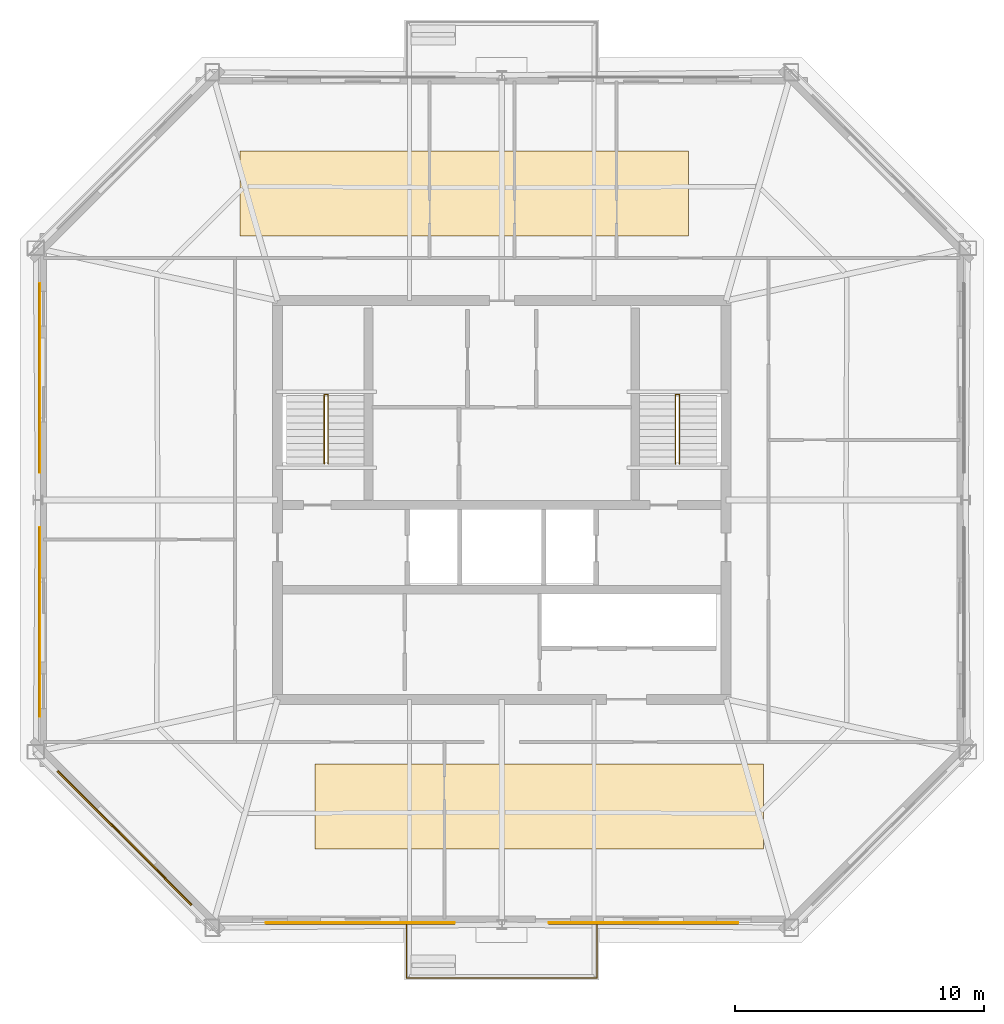
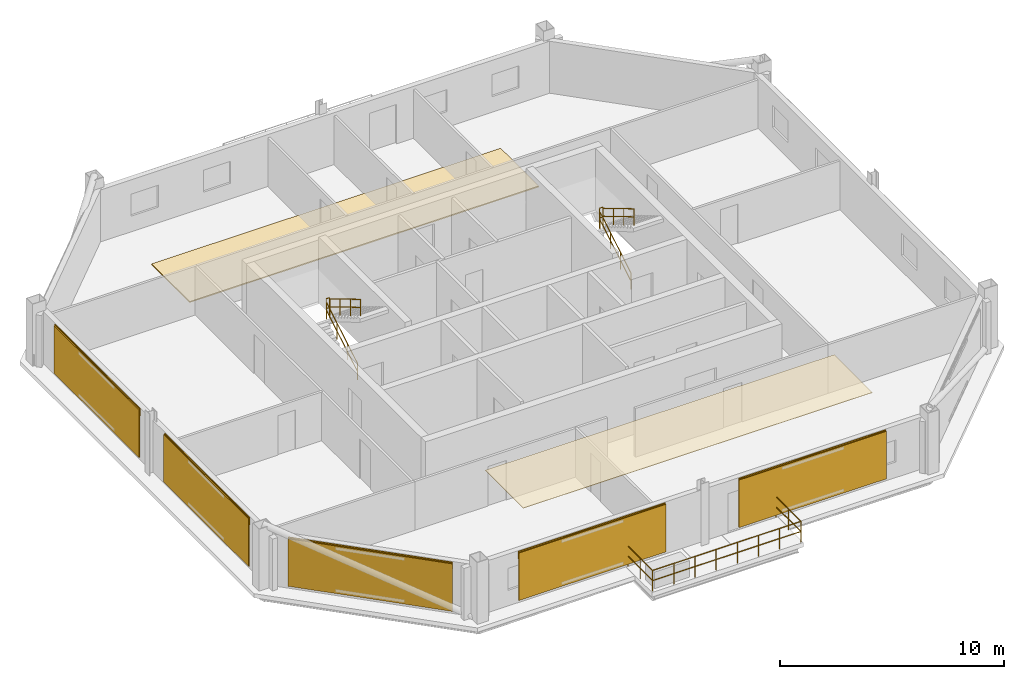
# One storey, part 6 of 7: 7 coverings, 7 railings, 5 shading devices.
"""IFC4 building model written with IfcOpenShell, lengths in metres."""

import ifcopenshell
import ifcopenshell.guid

model = None  # the IFC model being written
_history = None  # IfcOwnerHistory: only IFC2X3 demands one
_inside = {}  # id of a spatial element -> (the spatial element, [elements in it])
_under = {}  # id of a project, library or spatial element -> (it, [spatial elements below it])
_declared = {}  # id of a project -> (the project, [libraries it declares])
_typed = {}  # id of a type object -> (the type object, [elements of that type])
_made_of = {}  # id of a material, layer set ... -> (it, [elements and type objects made of it])


def new_model(schema):
    """Start an empty IFC model of exactly this schema.

    Asked for "IFC4X3", IfcOpenShell would pick the latest addendum, in which some entities
    have other attributes; the version numbers below select the first issue.
    IFC2X3 requires an IfcOwnerHistory on every rooted entity: one is made here for all.
    """
    global model, _history
    if schema == "IFC4X3":
        model = ifcopenshell.file(schema_version=(4, 3, 0, 0))
    else:
        model = ifcopenshell.file(schema=schema)
    _inside.clear()
    _under.clear()
    _declared.clear()
    _typed.clear()
    _made_of.clear()
    _history = None
    if model.schema == "IFC2X3":
        org = make("IfcOrganization", Name="unknown")
        user = make(
            "IfcPersonAndOrganization",
            ThePerson=make("IfcPerson", FamilyName="unknown"),
            TheOrganization=org,
        )
        app = make(
            "IfcApplication",
            ApplicationDeveloper=org,
            Version="unknown",
            ApplicationFullName="unknown",
            ApplicationIdentifier="unknown",
        )
        _history = make(
            "IfcOwnerHistory",
            OwningUser=user,
            OwningApplication=app,
            ChangeAction="ADDED",
            CreationDate=0,
        )
    return model


def make(cls, **values):
    """One entity of the class cls with the attributes given. An attribute that is None is left unset."""
    return model.create_entity(
        cls, **{name: value for name, value in values.items() if value is not None}
    )


def rooted(cls, **values):
    """An entity with a GlobalId (a new one), such as an element, a storey or a relation."""
    return make(cls, GlobalId=ifcopenshell.guid.new(), OwnerHistory=_history, **values)


def si_unit(unit_type, name, prefix=None):
    """IfcSIUnit, for example si_unit("LENGTHUNIT", "METRE", prefix="MILLI")."""
    return make("IfcSIUnit", UnitType=unit_type, Prefix=prefix, Name=name)


def assignment(units):
    """IfcUnitAssignment: the units of a project."""
    return None if units is None else make("IfcUnitAssignment", Units=units)


def point(xyz):
    """IfcCartesianPoint."""
    return None if xyz is None else make("IfcCartesianPoint", Coordinates=xyz)


def direction(xyz):
    """IfcDirection."""
    return None if xyz is None else make("IfcDirection", DirectionRatios=xyz)


def frame(location, z_axis=None, x_axis=None):
    """IfcAxis2Placement3D, a coordinate frame: its origin and axes. An axis left out is left unset."""
    return make(
        "IfcAxis2Placement3D",
        Location=point(location),
        Axis=direction(z_axis),
        RefDirection=direction(x_axis),
    )


def frame_2d(location, x_axis=None):
    """IfcAxis2Placement2D, a coordinate frame in the plane: its origin and x axis."""
    return make(
        "IfcAxis2Placement2D", Location=point(location), RefDirection=direction(x_axis)
    )


def origin():
    """The frame at (0, 0, 0) with its axes left unset."""
    return frame((0.0, 0.0, 0.0))


def origin_2d():
    """The frame at (0, 0) in the plane with its x axis left unset."""
    return frame_2d((0.0, 0.0))


def place(relative_to, where):
    """IfcLocalPlacement: puts the frame where relative to a parent placement (None: the world)."""
    return make(
        "IfcLocalPlacement", PlacementRelTo=relative_to, RelativePlacement=where
    )


def context(
    kind, dimensions, precision=None, world=None, true_north=None, identifier=None
):
    """IfcGeometricRepresentationContext, for example the 3D "Model" context."""
    return make(
        "IfcGeometricRepresentationContext",
        ContextIdentifier=identifier,
        ContextType=kind,
        CoordinateSpaceDimension=dimensions,
        Precision=precision,
        WorldCoordinateSystem=world,
        TrueNorth=true_north,
    )


def subcontext(parent, identifier, kind, view, scale=None):
    """IfcGeometricRepresentationSubContext, for example "Body" below "Model"."""
    return make(
        "IfcGeometricRepresentationSubContext",
        ContextIdentifier=identifier,
        ContextType=kind,
        ParentContext=parent,
        TargetScale=scale,
        TargetView=view,
    )


def project(units=None, contexts=None):
    """IfcProject with its units and contexts."""
    return rooted(
        "IfcProject",
        Name="project",
        RepresentationContexts=contexts,
        UnitsInContext=assignment(units),
    )


def spatial(cls, under=None, at=None, **own):
    """A site, building, storey or space (cls), placed at a placement, below another one or the project."""
    s = rooted(cls, ObjectPlacement=at, **own)
    if under is not None:
        _under.setdefault(under.id(), (under, []))[1].append(s)
    return s


def polyline(points):
    """IfcPolyline through the points."""
    return make("IfcPolyline", Points=[point(p) for p in points])


def profile(cls, at=None, kind="AREA", **sizes):
    """A parametric profile (cls). Its sizes go by their IFC names, for example OverallWidth=200.0."""
    return make(cls, ProfileType=kind, Position=at, **sizes)


def rectangle(**sizes):
    """IfcRectangleProfileDef."""
    return profile("IfcRectangleProfileDef", **sizes)


def circle(**sizes):
    """IfcCircleProfileDef."""
    return profile("IfcCircleProfileDef", **sizes)


def outline(outer, holes=None, kind="AREA"):
    """IfcArbitraryClosedProfileDef: a profile drawn as a closed curve; with holes, ...WithVoids."""
    if holes is None:
        return make("IfcArbitraryClosedProfileDef", ProfileType=kind, OuterCurve=outer)
    return make(
        "IfcArbitraryProfileDefWithVoids",
        ProfileType=kind,
        OuterCurve=outer,
        InnerCurves=holes,
    )


def extrude(swept, where, along, depth):
    """IfcExtrudedAreaSolid: the profile swept, set in the frame where, extruded along a direction by depth."""
    return make(
        "IfcExtrudedAreaSolid",
        SweptArea=swept,
        Position=where,
        ExtrudedDirection=direction(along),
        Depth=depth,
    )


def shape(context_of_items, identifier, shape_type, items):
    """IfcShapeRepresentation: the items that make up one representation, for example the "Body"."""
    return make(
        "IfcShapeRepresentation",
        ContextOfItems=context_of_items,
        RepresentationIdentifier=identifier,
        RepresentationType=shape_type,
        Items=items,
    )


def material(Name=None, Category=None):
    """IfcMaterial."""
    return make("IfcMaterial", Name=Name, Category=Category)


def layer(
    of_material, thickness, ventilated=None, Name=None, Category=None, Priority=None
):
    """IfcMaterialLayer: one layer of a wall or slab, of a material (None: an air gap)."""
    return make(
        "IfcMaterialLayer",
        Material=of_material,
        LayerThickness=thickness,
        IsVentilated=ventilated,
        Name=Name,
        Category=Category,
        Priority=Priority,
    )


def layer_set(layers, Name=None):
    """IfcMaterialLayerSet."""
    return make("IfcMaterialLayerSet", MaterialLayers=layers, LayerSetName=Name)


def made_of(thing, what):
    """Note that an element or type object is made of a material, layer set ...; save() writes the relation."""
    if what is not None:
        _made_of.setdefault(what.id(), (what, []))[1].append(thing)
    return thing


def type_object(cls, material=None, **own):
    """A type object (cls), such as IfcWallType, which elements share."""
    return made_of(rooted(cls, **own), material)


def element(
    cls,
    number,
    at=None,
    inside=None,
    cuts=None,
    type_object=None,
    material=None,
    context=None,
    identifier="Body",
    shape_type=None,
    held_by="IfcProductDefinitionShape",
    body=None,
    shapes=None,
    **own,
):
    """One element of the class cls, such as IfcWall. Its Tag is "e" and its number.

    at: its placement. inside: the storey or other place that contains it. cuts: it is an
    opening in that element (IfcRelVoidsElement). A single representation is given by context,
    identifier, shape_type and body (its items); several are given by shapes. held_by: the class
    of the entity that holds the representations. save() writes the other relations.
    """
    e = rooted(cls, Tag="e%d" % number, ObjectPlacement=at, **own)
    if body is not None:
        shapes = [shape(context, identifier, shape_type, body)]
    if shapes is not None:
        e.Representation = make(held_by, Representations=shapes)
    if inside is not None:
        _inside.setdefault(inside.id(), (inside, []))[1].append(e)
    if cuts is not None:
        rooted(
            "IfcRelVoidsElement", RelatingBuildingElement=cuts, RelatedOpeningElement=e
        )
    if type_object is not None:
        _typed.setdefault(type_object.id(), (type_object, []))[1].append(e)
    return made_of(e, material)


def aggregate(whole, parts):
    """IfcRelAggregates: a whole, such as a stair, and the parts it consists of."""
    return rooted("IfcRelAggregates", RelatingObject=whole, RelatedObjects=parts)


def save(model, path):
    """Write the relations noted so far, then the file.

    IfcRelAggregates (storeys below a building ...), IfcRelContainedInSpatialStructure (elements
    in a storey), IfcRelDefinesByType, IfcRelAssociatesMaterial and IfcRelDeclares: one each for
    every whole, place, type object, material and project.
    """
    for whole, parts in _under.values():
        aggregate(whole, parts)
    for where, things in _inside.values():
        rooted(
            "IfcRelContainedInSpatialStructure",
            RelatedElements=things,
            RelatingStructure=where,
        )
    for kind, things in _typed.values():
        rooted("IfcRelDefinesByType", RelatedObjects=things, RelatingType=kind)
    for what, things in _made_of.values():
        rooted("IfcRelAssociatesMaterial", RelatedObjects=things, RelatingMaterial=what)
    for by, libraries in _declared.values():
        rooted("IfcRelDeclares", RelatingContext=by, RelatedDefinitions=libraries)
    model.write(path)


model = new_model("IFC4")

# Units and contexts
model_context = context("Model", 3, precision=1e-05, world=origin(), true_north=direction((0.0, 1.0)))
body_context = subcontext(model_context, "Body", "Model", "MODEL_VIEW")
ifc_project = project(units=[si_unit("LENGTHUNIT", "METRE"), si_unit("AREAUNIT", "SQUARE_METRE"), si_unit("VOLUMEUNIT", "CUBIC_METRE"), si_unit("PLANEANGLEUNIT", "RADIAN"), si_unit("MASSUNIT", "GRAM", prefix="KILO")], contexts=[model_context])

# Site, building, storey
site_placement = place(None, origin())
site = spatial("IfcSite", under=ifc_project, at=site_placement, CompositionType="ELEMENT")
building_placement = place(site_placement, origin())
building = spatial("IfcBuilding", under=site, at=building_placement, Name="Caelvoria Tower", CompositionType="ELEMENT")
storey_placement = place(building_placement, frame((0.0, 0.0, 253.800048828125)))
storey = spatial("IfcBuildingStorey", under=building, at=storey_placement, Name="L67", CompositionType="ELEMENT", Elevation=253.800048828125)

# Railing
ifc_material_1 = material(Name="Bronze Anodised Aluminium and Stainless Steel", Category="steel")
railing_type_1 = type_object("IfcRailingType", Name="Exterior Terrace and Balcony Guardrail 1150", PredefinedType="GUARDRAIL", material=ifc_material_1)
railing_1_placement = place(storey_placement, frame((42.179931640625, 15.036376953125, 0.0)))
element("IfcRailing", 1, at=railing_1_placement, inside=storey, type_object=railing_type_1, Name="Tree Balcony Guardrail TB-L67-S", PredefinedType="GUARDRAIL", context=body_context, shape_type="SweptSolid", body=[
    extrude(circle(Radius=0.02392578125, at=origin_2d()), frame((0.0, 0.0, 1.1259765625), z_axis=(0.0, -1.0, 0.0), x_axis=(1.0, 0.0, 0.0)), (0.0, 0.0, 1.0), 2.219970703125),
    extrude(circle(Radius=0.02392578125, at=origin_2d()), frame((0.0, 0.0, 0.574951171875), z_axis=(0.0, -1.0, 0.0), x_axis=(1.0, 0.0, 0.0)), (0.0, 0.0, 1.0), 2.219970703125),
    extrude(circle(Radius=0.02392578125, at=origin_2d()), frame((0.0, -2.219970703125, 1.1259765625), z_axis=(1.0, 0.0, 0.0), x_axis=(0.0, 1.0, 0.0)), (0.0, 0.0, 1.0), 7.64013671875),
    extrude(circle(Radius=0.02392578125, at=origin_2d()), frame((0.0, -2.219970703125, 0.574951171875), z_axis=(1.0, 0.0, 0.0), x_axis=(0.0, 1.0, 0.0)), (0.0, 0.0, 1.0), 7.64013671875),
    extrude(circle(Radius=0.02392578125, at=origin_2d()), frame((7.64013671875, -2.219970703125, 1.1259765625), z_axis=(0.0, 1.0, 0.0), x_axis=(-1.0, 0.0, 0.0)), (0.0, 0.0, 1.0), 2.219970703125),
    extrude(circle(Radius=0.02392578125, at=origin_2d()), frame((7.64013671875, -2.219970703125, 0.574951171875), z_axis=(0.0, 1.0, 0.0), x_axis=(-1.0, 0.0, 0.0)), (0.0, 0.0, 1.0), 2.219970703125),
    extrude(circle(Radius=0.02099609375, at=origin_2d()), origin(), (0.0, 0.0, 1.0), 1.101806640625),
    extrude(circle(Radius=0.02099609375, at=origin_2d()), frame((0.0, -1.10986328125, 0.0)), (0.0, 0.0, 1.0), 1.101806640625),
    extrude(circle(Radius=0.02099609375, at=origin_2d()), frame((0.0, -2.219970703125, 0.0)), (0.0, 0.0, 1.0), 1.101806640625),
    extrude(circle(Radius=0.02099609375, at=origin_2d()), frame((1.091552734375, -2.219970703125, 0.0)), (0.0, 0.0, 1.0), 1.101806640625),
    extrude(circle(Radius=0.02099609375, at=origin_2d()), frame((2.182861328125, -2.219970703125, 0.0)), (0.0, 0.0, 1.0), 1.101806640625),
    extrude(circle(Radius=0.02099609375, at=origin_2d()), frame((3.2744140625, -2.219970703125, 0.0)), (0.0, 0.0, 1.0), 1.101806640625),
    extrude(circle(Radius=0.02099609375, at=origin_2d()), frame((4.36572265625, -2.219970703125, 0.0)), (0.0, 0.0, 1.0), 1.101806640625),
    extrude(circle(Radius=0.02099609375, at=origin_2d()), frame((5.457275390625, -2.219970703125, 0.0)), (0.0, 0.0, 1.0), 1.101806640625),
    extrude(circle(Radius=0.02099609375, at=origin_2d()), frame((6.548583984375, -2.219970703125, 0.0)), (0.0, 0.0, 1.0), 1.101806640625),
    extrude(circle(Radius=0.02099609375, at=origin_2d()), frame((7.64013671875, -2.219970703125, 0.0)), (0.0, 0.0, 1.0), 1.101806640625),
    extrude(circle(Radius=0.02099609375, at=origin_2d()), frame((7.64013671875, -1.10986328125, 0.0)), (0.0, 0.0, 1.0), 1.101806640625),
    extrude(circle(Radius=0.02099609375, at=origin_2d()), frame((7.64013671875, 0.0, 0.0)), (0.0, 0.0, 1.0), 1.101806640625),
])

# Coverings
ifc_material_2 = material(Name="Acoustic Mineral Fibre Tile", Category="gypsum")
ifc_layer_1 = layer(ifc_material_2, 0.02490234375, Name="Acoustic Mineral Fibre Tile")
ifc_layer_set_1 = layer_set([ifc_layer_1], Name="Mineral-Fibre Acoustic Suspended Ceiling 25 - Acoustic Mineral Fibre Tile")
covering_type_1 = type_object("IfcCoveringType", Name="Mineral-Fibre Acoustic Suspended Ceiling 25", PredefinedType="CEILING", material=ifc_layer_set_1)
covering_1_placement = place(storey_placement, frame((0.0, 0.0, 2.64990234375)))
element("IfcCovering", 2, at=covering_1_placement, inside=storey, type_object=covering_type_1, Name="Suspended Acoustic Ceiling L67", PredefinedType="CEILING", context=body_context, shape_type="SweptSolid", body=[
    extrude(outline(polyline([(38.5, 18.0), (56.5, 18.0), (56.5, 21.39990234375), (38.5, 21.39990234375), (38.5, 18.0)])), origin(), (0.0, 0.0, 1.0), 0.025146484375),
])
ifc_material_3 = material(Name="Perforated Architectural Bronze Cladding Screen", Category="bronze")
ifc_layer_2 = layer(ifc_material_3, 0.0400390625, Name="Perforated Architectural Bronze Cladding Screen")
ifc_layer_set_2 = layer_set([ifc_layer_2], Name="Perforated Bronze Louvre Cladding Band 40 - Perforated Architectural Bronze Cladding Screen")
covering_type_2 = type_object("IfcCoveringType", Name="Perforated Bronze Louvre Cladding Band 40", PredefinedType="CLADDING", material=ifc_layer_set_2)
for number, where, z_axis, x_axis, name in (
    (3, (40.31640625, 15.031982421875, 2.412109375), (0.0, 0.0, 1.0), (1.0, 0.0, 0.0), "Perforated Bronze Screen Band L67-E0-00"),
    (4, (51.68359375, 15.031982421875, 2.412109375), (0.0, 0.0, 1.0), (1.0, 0.0, 0.0), "Perforated Bronze Screen Band L67-E0-01"),
    (5, (27.458984375, 36.897216796875, 2.412109375), (0.0, 0.0, 1.0), (0.0, -1.0, 0.0), "Perforated Bronze Screen Band L67-E6-00"),
    (6, (27.458984375, 27.102783203125, 2.412109375), (0.0, 0.0, 1.0), (0.0, -1.0, 0.0), "Perforated Bronze Screen Band L67-E6-01"),
    (7, (30.880615234375, 18.45361328125, 2.412109375), (0.0, 0.0, 1.0), (0.707106781187, -0.707106781187, 0.0), "Perforated Bronze Screen Band L67-E7-00"),
):
    element("IfcCovering", number, at=place(storey_placement, frame(where, z_axis=z_axis, x_axis=x_axis)), inside=storey, type_object=covering_type_2, Name=name, PredefinedType="CLADDING", context=body_context, shape_type="SweptSolid", body=[
        extrude(rectangle(XDim=7.60009765625, YDim=0.0400390625, at=origin_2d()), origin(), (0.0, 0.0, 1.0), 0.39990234375),
    ])

# Shading devices
ifc_material_4 = material(Name="Perforated Architectural Bronze Alloy Panel", Category="bronze")
ifc_layer_3 = layer(ifc_material_4, 0.044921875, Name="Perforated Architectural Bronze Alloy Panel")
ifc_layer_set_3 = layer_set([ifc_layer_3], Name="Perforated Bronze Solar Screen Panel SCREEN - Perforated Architectural Bronze Alloy Panel")
shading_device_type = type_object("IfcShadingDeviceType", Name="Perforated Bronze Solar Screen Panel SCREEN", PredefinedType="USERDEFINED", material=ifc_layer_set_3)
for number, where, z_axis, x_axis, name in (
    (8, (40.31640625, 14.989013671875, 0.16015625), (0.0, 0.0, 1.0), (1.0, 0.0, 0.0), "Perforated Bronze Solar Screen L67-E0-00"),
    (9, (51.68359375, 14.989013671875, 0.16015625), (0.0, 0.0, 1.0), (1.0, 0.0, 0.0), "Perforated Bronze Solar Screen L67-E0-01"),
    (10, (27.416015625, 36.897216796875, 0.16015625), (0.0, 0.0, 1.0), (0.0, -1.0, 0.0), "Perforated Bronze Solar Screen L67-E6-00"),
    (11, (27.416015625, 27.102783203125, 0.16015625), (0.0, 0.0, 1.0), (0.0, -1.0, 0.0), "Perforated Bronze Solar Screen L67-E6-01"),
    (12, (30.850341796875, 18.423095703125, 0.16015625), (0.0, 0.0, 1.0), (0.707106781187, -0.707106781187, 0.0), "Perforated Bronze Solar Screen L67-E7-00"),
):
    element("IfcShadingDevice", number, at=place(storey_placement, frame(where, z_axis=z_axis, x_axis=x_axis)), inside=storey, type_object=shading_device_type, Name=name, ObjectType="SCREEN", PredefinedType="USERDEFINED", context=body_context, shape_type="SweptSolid", body=[
        extrude(rectangle(XDim=7.60009765625, YDim=0.044921875, at=origin_2d()), origin(), (0.0, 0.0, 1.0), 2.592041015625),
    ])

# Covering
ifc_material_5 = material(Name="Calcium-Sulphate Raised Floor Tile", Category="gypsum")
ifc_layer_4 = layer(ifc_material_5, 0.06005859375, Name="Calcium-Sulphate Raised Floor Tile")
ifc_layer_set_4 = layer_set([ifc_layer_4], Name="Raised Access Office Floor System 120 - Calcium-Sulphate Raised Floor Tile")
covering_type_3 = type_object("IfcCoveringType", Name="Raised Access Office Floor System 120", PredefinedType="FLOORING", material=ifc_layer_set_4)
covering_2_placement = place(storey_placement, origin())
element("IfcCovering", 13, at=covering_2_placement, inside=storey, type_object=covering_type_3, Name="Raised Access Flooring L67", PredefinedType="FLOORING", context=body_context, shape_type="SweptSolid", body=[
    extrude(outline(polyline([(35.5, 42.60009765625), (53.5, 42.60009765625), (53.5, 46.0), (35.5, 46.0), (35.5, 42.60009765625)])), origin(), (0.0, 0.0, 1.0), 0.06005859375),
])

# Railings
ifc_material_6 = material(Name="Brushed Stainless Steel Tube", Category="steel")
railing_type_2 = type_object("IfcRailingType", Name="Stair Tubular Stainless Handrail 920", PredefinedType="HANDRAIL", material=ifc_material_6)
railing_2_placement = place(storey_placement, frame((38.8701171875, 33.449951171875, 0.16357421875)))
element("IfcRailing", 14, at=railing_2_placement, inside=storey, type_object=railing_type_2, Name="ST-01 Flight 1 Handrail L67", PredefinedType="HANDRAIL", context=body_context, shape_type="SweptSolid", body=[
    extrude(circle(Radius=0.02392578125, at=origin_2d()), frame((0.0, 0.0, 0.89599609375), z_axis=(0.0, 0.859351957796, 0.511384603436), x_axis=(-1.0, 0.0, 0.0)), (0.0, 0.0, 1.0), 3.2001953125),
    extrude(circle(Radius=0.02392578125, at=origin_2d()), frame((0.0, 0.0, 0.4599609375), z_axis=(0.0, 0.859351957796, 0.511384603436), x_axis=(-1.0, 0.0, 0.0)), (0.0, 0.0, 1.0), 3.2001953125),
    extrude(circle(Radius=0.02099609375, at=origin_2d()), origin(), (0.0, 0.0, 1.0), 0.871826171875),
    extrude(circle(Radius=0.02099609375, at=origin_2d()), frame((0.0, 0.916748046875, 0.54541015625)), (0.0, 0.0, 1.0), 0.871826171875),
    extrude(circle(Radius=0.02099609375, at=origin_2d()), frame((0.0, 1.833251953125, 1.091064453125)), (0.0, 0.0, 1.0), 0.871826171875),
    extrude(circle(Radius=0.02099609375, at=origin_2d()), frame((0.0, 2.75, 1.636474609375)), (0.0, 0.0, 1.0), 0.871826171875),
])
railing_3_placement = place(storey_placement, frame((39.030029296875, 36.199951171875, 1.963623046875)))
element("IfcRailing", 15, at=railing_3_placement, inside=storey, type_object=railing_type_2, Name="ST-01 Flight 2 Handrail L67", PredefinedType="HANDRAIL", context=body_context, shape_type="SweptSolid", body=[
    extrude(circle(Radius=0.02392578125, at=origin_2d()), frame((0.0, 0.0, 0.89599609375), z_axis=(0.0, -0.859385484447, 0.511328259656), x_axis=(1.0, 0.0, 0.0)), (0.0, 0.0, 1.0), 3.199951171875),
    extrude(circle(Radius=0.02392578125, at=origin_2d()), frame((0.0, 0.0, 0.4599609375), z_axis=(0.0, -0.859385484447, 0.511328259656), x_axis=(1.0, 0.0, 0.0)), (0.0, 0.0, 1.0), 3.199951171875),
    extrude(circle(Radius=0.02099609375, at=origin_2d()), origin(), (0.0, 0.0, 1.0), 0.871826171875),
    extrude(circle(Radius=0.02099609375, at=origin_2d()), frame((0.0, -0.916748046875, 0.54541015625)), (0.0, 0.0, 1.0), 0.871826171875),
    extrude(circle(Radius=0.02099609375, at=origin_2d()), frame((0.0, -1.833251953125, 1.0908203125)), (0.0, 0.0, 1.0), 0.871826171875),
    extrude(circle(Radius=0.02099609375, at=origin_2d()), frame((0.0, -2.75, 1.63623046875)), (0.0, 0.0, 1.0), 0.871826171875),
])
railing_4_placement = place(storey_placement, frame((52.969970703125, 33.449951171875, 0.16357421875)))
element("IfcRailing", 16, at=railing_4_placement, inside=storey, type_object=railing_type_2, Name="ST-02 Flight 1 Handrail L67", PredefinedType="HANDRAIL", context=body_context, shape_type="SweptSolid", body=[
    extrude(circle(Radius=0.02392578125, at=origin_2d()), frame((0.0, 0.0, 0.89599609375), z_axis=(0.0, 0.859351957796, 0.511384603436), x_axis=(-1.0, 0.0, 0.0)), (0.0, 0.0, 1.0), 3.2001953125),
    extrude(circle(Radius=0.02392578125, at=origin_2d()), frame((0.0, 0.0, 0.4599609375), z_axis=(0.0, 0.859351957796, 0.511384603436), x_axis=(-1.0, 0.0, 0.0)), (0.0, 0.0, 1.0), 3.2001953125),
    extrude(circle(Radius=0.02099609375, at=origin_2d()), origin(), (0.0, 0.0, 1.0), 0.871826171875),
    extrude(circle(Radius=0.02099609375, at=origin_2d()), frame((0.0, 0.916748046875, 0.54541015625)), (0.0, 0.0, 1.0), 0.871826171875),
    extrude(circle(Radius=0.02099609375, at=origin_2d()), frame((0.0, 1.833251953125, 1.091064453125)), (0.0, 0.0, 1.0), 0.871826171875),
    extrude(circle(Radius=0.02099609375, at=origin_2d()), frame((0.0, 2.75, 1.636474609375)), (0.0, 0.0, 1.0), 0.871826171875),
])
railing_5_placement = place(storey_placement, frame((53.1298828125, 36.199951171875, 1.963623046875)))
element("IfcRailing", 17, at=railing_5_placement, inside=storey, type_object=railing_type_2, Name="ST-02 Flight 2 Handrail L67", PredefinedType="HANDRAIL", context=body_context, shape_type="SweptSolid", body=[
    extrude(circle(Radius=0.02392578125, at=origin_2d()), frame((0.0, 0.0, 0.89599609375), z_axis=(0.0, -0.859385484447, 0.511328259656), x_axis=(1.0, 0.0, 0.0)), (0.0, 0.0, 1.0), 3.199951171875),
    extrude(circle(Radius=0.02392578125, at=origin_2d()), frame((0.0, 0.0, 0.4599609375), z_axis=(0.0, -0.859385484447, 0.511328259656), x_axis=(1.0, 0.0, 0.0)), (0.0, 0.0, 1.0), 3.199951171875),
    extrude(circle(Radius=0.02099609375, at=origin_2d()), origin(), (0.0, 0.0, 1.0), 0.871826171875),
    extrude(circle(Radius=0.02099609375, at=origin_2d()), frame((0.0, -0.916748046875, 0.54541015625)), (0.0, 0.0, 1.0), 0.871826171875),
    extrude(circle(Radius=0.02099609375, at=origin_2d()), frame((0.0, -1.833251953125, 1.0908203125)), (0.0, 0.0, 1.0), 0.871826171875),
    extrude(circle(Radius=0.02099609375, at=origin_2d()), frame((0.0, -2.75, 1.63623046875)), (0.0, 0.0, 1.0), 0.871826171875),
])
ifc_material_7 = material(Name="Brushed Stainless Steel Guardrail", Category="steel")
railing_type_3 = type_object("IfcRailingType", Name="Stair Well and Ramp Guardrail 1120", PredefinedType="GUARDRAIL", material=ifc_material_7)
for number, where, name in (
    (18, (38.8701171875, 36.239990234375, 1.800048828125), "ST-01 Half-Landing Well Guard L67"),
    (19, (52.969970703125, 36.239990234375, 1.800048828125), "ST-02 Half-Landing Well Guard L67"),
):
    element("IfcRailing", number, at=place(storey_placement, frame(where)), inside=storey, type_object=railing_type_3, Name=name, PredefinedType="GUARDRAIL", context=body_context, shape_type="SweptSolid", body=[
        extrude(circle(Radius=0.02392578125, at=origin_2d()), frame((0.0, 0.0, 1.09619140625), z_axis=(1.0, 0.0, 0.0), x_axis=(0.0, 1.0, 0.0)), (0.0, 0.0, 1.0), 0.159912109375),
        extrude(circle(Radius=0.02392578125, at=origin_2d()), frame((0.0, 0.0, 0.56005859375), z_axis=(1.0, 0.0, 0.0), x_axis=(0.0, 1.0, 0.0)), (0.0, 0.0, 1.0), 0.159912109375),
        extrude(circle(Radius=0.02099609375, at=origin_2d()), origin(), (0.0, 0.0, 1.0), 1.072021484375),
        extrude(circle(Radius=0.02099609375, at=origin_2d()), frame((0.159912109375, 0.0, 0.0)), (0.0, 0.0, 1.0), 1.072021484375),
    ])

save(model, "model.ifc")
